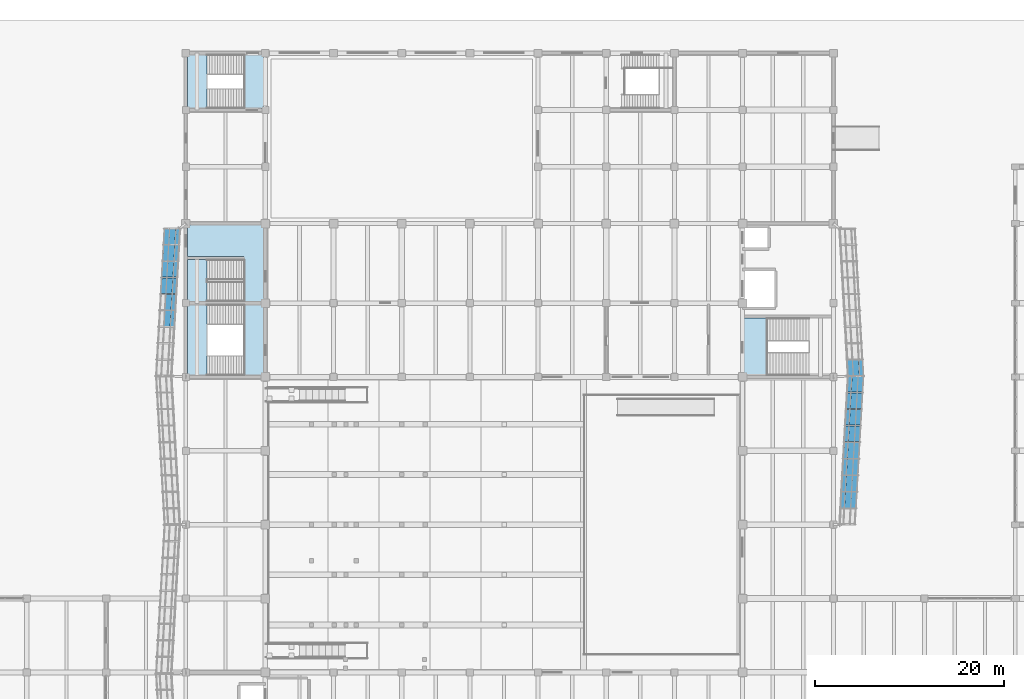
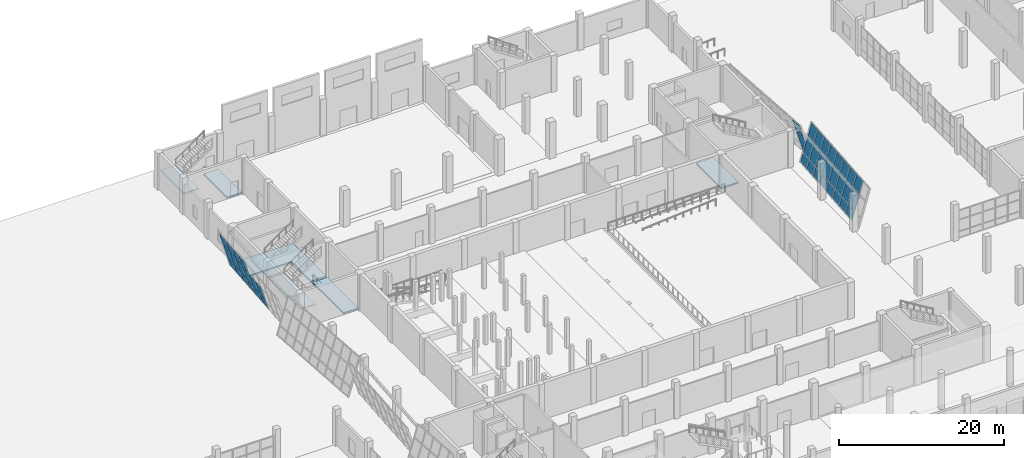
# One storey, part 51 of 78: 43 plates, 7 slabs, 7 elements without a shape of their own.
"""IFC4 building model written with IfcOpenShell, lengths in metres."""

from ifc_helpers import new_model, si_unit, direction, frame, origin, place, context, subcontext, project, spatial, polyline, outline, extrude, material, layer, layer_set, type_object, element, aggregate, save


model = new_model("IFC4")

# Units and contexts
model_context = context("Model", 3, precision=1e-05, world=origin(), true_north=direction((0.0, 1.0)))
body_context = subcontext(model_context, "Body", "Model", "MODEL_VIEW")
ifc_project = project(units=[si_unit("LENGTHUNIT", "METRE"), si_unit("AREAUNIT", "SQUARE_METRE"), si_unit("VOLUMEUNIT", "CUBIC_METRE"), si_unit("PLANEANGLEUNIT", "RADIAN"), si_unit("MASSUNIT", "GRAM", prefix="KILO")], contexts=[model_context])

# Site, building, storey
site_placement = place(None, origin())
site = spatial("IfcSite", under=ifc_project, at=site_placement, CompositionType="ELEMENT")
building_placement = place(site_placement, origin())
building = spatial("IfcBuilding", under=site, at=building_placement, Name="Pellamere Symphony Hall", CompositionType="ELEMENT")
storey_placement = place(building_placement, origin())
storey = spatial("IfcBuildingStorey", under=building, at=storey_placement, Name="L00", CompositionType="ELEMENT", Elevation=0.0)

# Curtain wall, plates
ifc_material_1 = material(Name="Thermally Broken Anodised Aluminium 6063-T6 Curtain Wall", Category="aluminium")
curtain_wall_type = type_object("IfcCurtainWallType", Name="Curtain Wall CW-01 (Tilted Faceted Crystal Low-Iron Curtain Wall)", PredefinedType="NOTDEFINED", material=ifc_material_1)
curtain_wall_1_placement = place(storey_placement, origin())
curtain_wall_1 = element("IfcCurtainWall", 1, at=curtain_wall_1_placement, inside=storey, type_object=curtain_wall_type, Name="Crystal Faceted Curtain Wall CW-CR08 (L00)", PredefinedType="NOTDEFINED")
ifc_material_2 = material(Name="Pre-Weathered Quartz-Zinc Faceted Cladding Cassette", Category="aluminium")
ifc_layer_1 = layer(ifc_material_2, 0.0400390625, Name="Pre-Weathered Quartz-Zinc Faceted Cladding Cassette")
ifc_layer_set_1 = layer_set([ifc_layer_1], Name="Pre-Weathered Quartz-Zinc Faceted Cladding Cassette")
plate_type_1 = type_object("IfcPlateType", Name="Facade Panel CL-01 40mm", PredefinedType="CURTAIN_PANEL", material=ifc_layer_set_1)
plate_1_placement = place(storey_placement, frame((119.573486328125, 63.581787109375, 0.072021484375), z_axis=(-0.957395031461, 0.054876276112, 0.283519572613), x_axis=(0.057224396245, 0.998361341637, 0.0)))
plate_1 = element("IfcPlate", 2, at=plate_1_placement, type_object=plate_type_1, Name="CW1-012 crystal glass panel 2.1", PredefinedType="CURTAIN_PANEL", context=body_context, shape_type="SweptSolid", body=[
    extrude(outline(polyline([(0.0, 0.0), (1.6724182565382377, 3.469446951953614e-18), (1.692550179143087, -1.238821526478859), (0.02013192260484909, -1.238821526478859), (0.0, 0.0)])), origin(), (0.0, 0.0, -1.0), 0.0400390625),
])
plate_2_placement = place(storey_placement, frame((119.94677734375, 63.581787109375, 1.33203125), z_axis=(-0.957387734204, 0.054875857846, 0.283544293932), x_axis=(0.057224396245, 0.998361341637, 0.0)))
plate_2 = element("IfcPlate", 3, at=plate_2_placement, type_object=plate_type_1, Name="CW1-012 crystal glass panel 2.2", PredefinedType="CURTAIN_PANEL", context=body_context, shape_type="SweptSolid", body=[
    extrude(outline(polyline([(0.0, 0.0), (1.6724182565382377, 0.0), (1.7096364673774591, -2.2900297091441395), (0.03721821083922136, -2.2900297091441395), (0.0, 0.0)])), origin(), (0.0, 0.0, -1.0), 0.0400390625),
])
plate_3_placement = place(storey_placement, frame((120.61865234375, 63.581787109375, 3.599853515625), z_axis=(-0.957407878661, 0.054877012492, 0.283476043745), x_axis=(0.057224396245, 0.998361341637, 0.0)))
plate_3 = element("IfcPlate", 4, at=plate_3_placement, type_object=plate_type_1, Name="CW1-012 crystal glass panel 2.3", PredefinedType="CURTAIN_PANEL", context=body_context, shape_type="SweptSolid", body=[
    extrude(outline(polyline([(0.0, 0.0), (1.6724182565382377, 0.0), (1.701701053054382, -1.8021989126157862), (0.029282796516144134, -1.8021989126157862), (0.0, 0.0)])), origin(), (0.0, 0.0, -1.0), 0.0400390625),
])
plate_4_placement = place(storey_placement, frame((119.67333984375, 65.326416015625, 0.072021484375), z_axis=(-0.957341189414, 0.054881214719, 0.283700368914), x_axis=(0.057232737422, 0.998360863499, 0.0)))
plate_4 = element("IfcPlate", 5, at=plate_4_placement, type_object=plate_type_1, Name="CW1-012 crystal glass panel 3.1", PredefinedType="CURTAIN_PANEL", context=body_context, shape_type="SweptSolid", body=[
    extrude(outline(polyline([(0.0, 0.0), (1.6721745160346768, 0.0), (1.6923233459571738, -1.2388906059934504), (0.020148829922496985, -1.2388906059934504), (0.0, 0.0)])), origin(), (0.0, 0.0, -1.0), 0.0400390625),
])
plate_5_placement = place(storey_placement, frame((120.046630859375, 65.326416015625, 1.33203125), z_axis=(-0.957358415289, 0.054882202222, 0.283642042996), x_axis=(0.057232737422, 0.998360863499, 0.0)))
plate_5 = element("IfcPlate", 6, at=plate_5_placement, type_object=plate_type_1, Name="CW1-012 crystal glass panel 3.2", PredefinedType="CURTAIN_PANEL", context=body_context, shape_type="SweptSolid", body=[
    extrude(outline(polyline([(0.0, 0.0), (1.6721745160346768, 0.0), (1.7094121247333276, -2.2900987440787963), (0.03723760869865081, -2.2900987440787963), (0.0, 0.0)])), origin(), (0.0, 0.0, -1.0), 0.0400390625),
])
plate_6_placement = place(storey_placement, frame((120.718505859375, 65.326416015625, 3.599853515625), z_axis=(-0.957370744271, 0.054882909002, 0.283600289693), x_axis=(0.057232737422, 0.998360863499, 0.0)))
plate_6 = element("IfcPlate", 7, at=plate_6_placement, type_object=plate_type_1, Name="CW1-012 crystal glass panel 3.3", PredefinedType="CURTAIN_PANEL", context=body_context, shape_type="SweptSolid", body=[
    extrude(outline(polyline([(0.0, 0.0), (1.6721745160346768, -3.469446951953614e-18), (1.7014755537236341, -1.8022679529612744), (0.029301037688957126, -1.8022679529612744), (0.0, 0.0)])), origin(), (0.0, 0.0, -1.0), 0.0400390625),
])
plate_7_placement = place(storey_placement, frame((119.7734375, 67.07080078125, 0.072021484375), z_axis=(-0.957341189414, 0.054881214719, 0.283700368914), x_axis=(0.057232737422, 0.998360863499, 0.0)))
plate_7 = element("IfcPlate", 8, at=plate_7_placement, type_object=plate_type_1, Name="CW1-012 crystal glass panel 4.1", PredefinedType="CURTAIN_PANEL", context=body_context, shape_type="SweptSolid", body=[
    extrude(outline(polyline([(0.0, 0.0), (1.6721745160346768, 0.0), (1.6923233459571738, -1.2388906059934504), (0.020148829922496985, -1.2388906059934504), (0.0, 0.0)])), origin(), (0.0, 0.0, -1.0), 0.0400390625),
])
plate_8_placement = place(storey_placement, frame((120.146728515625, 67.07080078125, 1.33203125), z_axis=(-0.957387312553, 0.054883858807, 0.283544169054), x_axis=(0.057232737422, 0.998360863499, 0.0)))
plate_8 = element("IfcPlate", 9, at=plate_8_placement, type_object=plate_type_1, Name="CW1-012 crystal glass panel 4.2", PredefinedType="CURTAIN_PANEL", context=body_context, shape_type="SweptSolid", body=[
    extrude(outline(polyline([(0.0, 0.0), (1.6721745160346768, -3.469446951953614e-18), (1.7093981518970431, -2.2900296209687006), (0.037223635862366135, -2.2900296209687006), (0.0, 0.0)])), origin(), (0.0, 0.0, -1.0), 0.0400390625),
])
plate_9_placement = place(storey_placement, frame((120.818603515625, 67.07080078125, 3.599853515625), z_axis=(-0.957370744271, 0.054882909002, 0.283600289693), x_axis=(0.057232737422, 0.998360863499, 0.0)))
plate_9 = element("IfcPlate", 10, at=plate_9_placement, type_object=plate_type_1, Name="CW1-012 crystal glass panel 4.3", PredefinedType="CURTAIN_PANEL", context=body_context, shape_type="SweptSolid", body=[
    extrude(outline(polyline([(0.0, 0.0), (1.6721745160346768, -3.469446951953614e-18), (1.7014755537236341, -1.8022679529612744), (0.029301037688957126, -1.8022679529612744), (0.0, 0.0)])), origin(), (0.0, 0.0, -1.0), 0.0400390625),
])
plate_10_placement = place(storey_placement, frame((119.87353515625, 68.815185546875, 0.072021484375), z_axis=(-0.957395031461, 0.054876276112, 0.283519572613), x_axis=(0.057224396245, 0.998361341637, 0.0)))
plate_10 = element("IfcPlate", 11, at=plate_10_placement, type_object=plate_type_1, Name="CW1-012 crystal glass panel 5.1", PredefinedType="CURTAIN_PANEL", context=body_context, shape_type="SweptSolid", body=[
    extrude(outline(polyline([(0.0, 0.0), (1.6724182565382377, 3.469446951953614e-18), (1.692550179143087, -1.238821526478859), (0.02013192260484909, -1.238821526478859), (0.0, 0.0)])), origin(), (0.0, 0.0, -1.0), 0.0400390625),
])
plate_11_placement = place(storey_placement, frame((120.24658203125, 68.815185546875, 1.33203125), z_axis=(-0.957369607078, 0.054944812221, 0.283592142086), x_axis=(0.05730299795, 0.998356833018, 1.9816883e-05)))
plate_11 = element("IfcPlate", 12, at=plate_11_placement, type_object=plate_type_1, Name="CW1-012 crystal glass panel 5.2", PredefinedType="CURTAIN_PANEL", context=body_context, shape_type="SweptSolid", body=[
    extrude(outline(polyline([(0.0, 0.0), (1.672432241016296, 1.0408340855860843e-17), (1.709745092433655, -2.2900281660805426), (0.03732684140709298, -2.2900972884106223), (0.0, 0.0)])), origin(), (0.0, 0.0, -1.0), 0.0400390625),
])
plate_12_placement = place(storey_placement, frame((120.91845703125, 68.815185546875, 3.599853515625), z_axis=(-0.9573711659, 0.054874908178, 0.283600414591), x_axis=(0.057224396245, 0.998361341637, 0.0)))
plate_12 = element("IfcPlate", 13, at=plate_12_placement, type_object=plate_type_1, Name="CW1-012 crystal glass panel 5.3", PredefinedType="CURTAIN_PANEL", context=body_context, shape_type="SweptSolid", body=[
    extrude(outline(polyline([(0.0, 0.0), (1.6724182565382377, 0.0), (1.7017150238542464, -1.8022680223833807), (0.029296767316008707, -1.8022680223833807), (0.0, 0.0)])), origin(), (0.0, 0.0, -1.0), 0.0400390625),
])
plate_13_placement = place(storey_placement, frame((119.973388671875, 70.5595703125, 0.072021484375), z_axis=(-0.957341611004, 0.054873214141, 0.283700493849), x_axis=(0.057224396245, 0.998361341637, 0.0)))
plate_13 = element("IfcPlate", 14, at=plate_13_placement, type_object=plate_type_1, Name="CW1-012 crystal glass panel 6.1", PredefinedType="CURTAIN_PANEL", context=body_context, shape_type="SweptSolid", body=[
    extrude(outline(polyline([(0.0, 0.0), (1.6724182565382377, 0.0), (1.6925641499429516, -1.2388906537483406), (0.020145893404713663, -1.2388906537483406), (0.0, 0.0)])), origin(), (0.0, 0.0, -1.0), 0.0400390625),
])
plate_14_placement = place(storey_placement, frame((120.3466796875, 70.5595703125, 1.33203125), z_axis=(-0.957358836902, 0.054874201501, 0.283642167909), x_axis=(0.057224396245, 0.998361341637, 0.0)))
plate_14 = element("IfcPlate", 15, at=plate_14_placement, type_object=plate_type_1, Name="CW1-012 crystal glass panel 6.2", PredefinedType="CURTAIN_PANEL", context=body_context, shape_type="SweptSolid", body=[
    extrude(outline(polyline([(0.0, 0.0), (1.6724182565382377, 0.0), (1.7096504381773239, -2.2900988323177818), (0.03723218163908593, -2.2900988323177818), (0.0, 0.0)])), origin(), (0.0, 0.0, -1.0), 0.0400390625),
])
plate_15_placement = place(storey_placement, frame((121.0185546875, 70.5595703125, 3.599853515625), z_axis=(-0.9573711659, 0.054874908178, 0.283600414591), x_axis=(0.057224396245, 0.998361341637, 0.0)))
plate_15 = element("IfcPlate", 16, at=plate_15_placement, type_object=plate_type_1, Name="CW1-012 crystal glass panel 6.3", PredefinedType="CURTAIN_PANEL", context=body_context, shape_type="SweptSolid", body=[
    extrude(outline(polyline([(0.0, 0.0), (1.6724182565382377, 0.0), (1.7017150238542464, -1.8022680223833807), (0.029296767316008707, -1.8022680223833807), (0.0, 0.0)])), origin(), (0.0, 0.0, -1.0), 0.0400390625),
])
plate_16_placement = place(storey_placement, frame((120.073486328125, 72.30419921875, 0.072021484375), z_axis=(-0.9573946098, 0.054884277134, 0.283519447744), x_axis=(0.057232737422, 0.998360863499, 0.0)))
plate_16 = element("IfcPlate", 17, at=plate_16_placement, type_object=plate_type_1, Name="CW1-012 crystal glass panel 7.1", PredefinedType="CURTAIN_PANEL", context=body_context, shape_type="SweptSolid", body=[
    extrude(outline(polyline([(0.0, 0.0), (1.6721745160346768, 0.0), (1.6923093731208891, -1.2388214787875187), (0.020134857086212314, -1.2388214787875187), (0.0, 0.0)])), origin(), (0.0, 0.0, -1.0), 0.0400390625),
])
plate_17_placement = place(storey_placement, frame((120.44677734375, 72.30419921875, 1.33203125), z_axis=(-0.957387312553, 0.054883858807, 0.283544169054), x_axis=(0.057232737422, 0.998360863499, 0.0)))
plate_17 = element("IfcPlate", 18, at=plate_17_placement, type_object=plate_type_1, Name="CW1-012 crystal glass panel 7.2", PredefinedType="CURTAIN_PANEL", context=body_context, shape_type="SweptSolid", body=[
    extrude(outline(polyline([(0.0, 0.0), (1.6721745160346768, -3.469446951953614e-18), (1.7093981518970431, -2.2900296209687006), (0.037223635862366135, -2.2900296209687006), (0.0, 0.0)])), origin(), (0.0, 0.0, -1.0), 0.0400390625),
])
plate_18_placement = place(storey_placement, frame((121.11865234375, 72.30419921875, 3.599853515625), z_axis=(-0.957407456984, 0.054885013621, 0.283475918892), x_axis=(0.057232737422, 0.998360863499, 0.0)))
plate_18 = element("IfcPlate", 19, at=plate_18_placement, type_object=plate_type_1, Name="CW1-012 crystal glass panel 7.3", PredefinedType="CURTAIN_PANEL", context=body_context, shape_type="SweptSolid", body=[
    extrude(outline(polyline([(0.0, 0.0), (1.6721745160346768, 0.0), (1.7014615808873494, -1.8021988432572154), (0.029287064852672455, -1.8021988432572154), (0.0, 0.0)])), origin(), (0.0, 0.0, -1.0), 0.0400390625),
])
plate_19_placement = place(storey_placement, frame((120.17333984375, 74.048583984375, 0.072021484375), z_axis=(-0.957341189414, 0.054881214719, 0.283700368914), x_axis=(0.057232737422, 0.998360863499, 0.0)))
plate_19 = element("IfcPlate", 20, at=plate_19_placement, type_object=plate_type_1, Name="CW1-012 crystal glass panel 8.1", PredefinedType="CURTAIN_PANEL", context=body_context, shape_type="SweptSolid", body=[
    extrude(outline(polyline([(0.0, 0.0), (1.6721745160346768, 0.0), (1.6923233459571738, -1.2388906059934504), (0.020148829922496985, -1.2388906059934504), (0.0, 0.0)])), origin(), (0.0, 0.0, -1.0), 0.0400390625),
])
plate_20_placement = place(storey_placement, frame((120.546630859375, 74.048583984375, 1.33203125), z_axis=(-0.957358415289, 0.054882202222, 0.283642042996), x_axis=(0.057232737422, 0.998360863499, 0.0)))
plate_20 = element("IfcPlate", 21, at=plate_20_placement, type_object=plate_type_1, Name="CW1-012 crystal glass panel 8.2", PredefinedType="CURTAIN_PANEL", context=body_context, shape_type="SweptSolid", body=[
    extrude(outline(polyline([(0.0, 0.0), (1.6721745160346768, 0.0), (1.7094121247333276, -2.2900987440787963), (0.03723760869865081, -2.2900987440787963), (0.0, 0.0)])), origin(), (0.0, 0.0, -1.0), 0.0400390625),
])
plate_21_placement = place(storey_placement, frame((121.218505859375, 74.048583984375, 3.599853515625), z_axis=(-0.957370744271, 0.054882909002, 0.283600289693), x_axis=(0.057232737422, 0.998360863499, 0.0)))
plate_21 = element("IfcPlate", 22, at=plate_21_placement, type_object=plate_type_1, Name="CW1-012 crystal glass panel 8.3", PredefinedType="CURTAIN_PANEL", context=body_context, shape_type="SweptSolid", body=[
    extrude(outline(polyline([(0.0, 0.0), (1.6721745160346768, -3.469446951953614e-18), (1.7014755537236341, -1.8022679529612744), (0.029301037688957126, -1.8022679529612744), (0.0, 0.0)])), origin(), (0.0, 0.0, -1.0), 0.0400390625),
])
plate_22_placement = place(storey_placement, frame((120.2734375, 75.79296875, 0.072021484375), z_axis=(-0.957342912036, 0.054848516875, 0.283700879399), x_axis=(0.057198647566, 0.998362817175, 0.0)))
plate_22 = element("IfcPlate", 23, at=plate_22_placement, type_object=plate_type_1, Name="CW1-012 crystal glass panel 9.1", PredefinedType="CURTAIN_PANEL", context=body_context, shape_type="SweptSolid", body=[
    extrude(outline(polyline([(0.0, 0.0), (1.6347564733470132, 0.0), (1.654893301909021, -1.2388908011207158), (0.02013682856200787, -1.2388908011207158), (0.0, 0.0)])), origin(), (0.0, 0.0, -1.0), 0.0400390625),
])
plate_23_placement = place(storey_placement, frame((120.646728515625, 75.79296875, 1.33203125), z_axis=(-0.957370825104, 0.054921721979, 0.283592502889), x_axis=(0.057267088873, 0.998358893445, -2.0273649e-05)))
plate_23 = element("IfcPlate", 24, at=plate_23_placement, type_object=plate_type_1, Name="CW1-012 crystal glass panel 9.2", PredefinedType="CURTAIN_PANEL", context=body_context, shape_type="SweptSolid", body=[
    extrude(outline(polyline([(0.0, 0.0), (1.6347564691696963, 0.0), (1.671971906272514, -2.2900991015055063), (0.03720145587994829, -2.2900299784071576), (0.0, 0.0)])), origin(), (0.0, 0.0, -1.0), 0.0400390625),
])
plate_24_placement = place(storey_placement, frame((121.318603515625, 75.79296875, 3.599853515625), z_axis=(-0.957372467052, 0.054850210154, 0.283600800029), x_axis=(0.057198647566, 0.998362817175, 0.0)))
plate_24 = element("IfcPlate", 25, at=plate_24_placement, type_object=plate_type_1, Name="CW1-012 crystal glass panel 9.3", PredefinedType="CURTAIN_PANEL", context=body_context, shape_type="SweptSolid", body=[
    extrude(outline(polyline([(0.0, 0.0), (1.6347564733470132, 3.469446951953614e-18), (1.6640400582946764, -1.8022682366211433), (0.029283584947663317, -1.8022682366211433), (0.0, 0.0)])), origin(), (0.0, 0.0, -1.0), 0.0400390625),
])
aggregate(curtain_wall_1, [plate_1, plate_2, plate_3, plate_4, plate_5, plate_6, plate_7, plate_8, plate_9, plate_10, plate_11, plate_12, plate_13, plate_14, plate_15, plate_16, plate_17, plate_18, plate_19, plate_20, plate_21, plate_22, plate_23, plate_24])

curtain_wall_2_placement = place(storey_placement, origin())
curtain_wall_2 = element("IfcCurtainWall", 26, at=curtain_wall_2_placement, inside=storey, type_object=curtain_wall_type, Name="Crystal Faceted Curtain Wall CW-CR09 (L00)", PredefinedType="NOTDEFINED")
ifc_material_3 = material(Name="Triple Laminated Acoustic Crystal Glazing 42mm", Category="glass")
ifc_layer_2 = layer(ifc_material_3, 0.0419921875, Name="Triple Laminated Acoustic Crystal Glazing 42mm")
ifc_layer_set_2 = layer_set([ifc_layer_2], Name="Triple Laminated Acoustic Crystal Glazing 42mm")
plate_type_2 = type_object("IfcPlateType", Name="Facade Panel GL-02 42mm", PredefinedType="CURTAIN_PANEL", material=ifc_layer_set_2)
plate_25_placement = place(storey_placement, frame((121.924072265625, 77.574951171875, 0.072021484375), z_axis=(0.957322888498, 0.055227393628, 0.283694945585), x_axis=(-0.057593652861, 0.998340107954, 0.0)))
plate_25 = element("IfcPlate", 27, at=plate_25_placement, type_object=plate_type_2, Name="CW1-017 crystal glass panel 1.1", PredefinedType="CURTAIN_PANEL", context=body_context, shape_type="SweptSolid", body=[
    extrude(outline(polyline([(0.0, 0.0), (1.6235445180063734, -3.469446951953614e-18), (1.6438204084912516, 1.2388885330130026), (0.020275890484878076, 1.2388885330130026), (0.0, 0.0)])), origin(), (0.0, 0.0, -1.0), 0.0419921875),
])
plate_26_placement = place(storey_placement, frame((121.55078125, 77.574951171875, 1.33203125), z_axis=(0.957340113385, 0.055228387321, 0.283636620586), x_axis=(-0.057593652861, 0.998340107954, 0.0)))
plate_26 = element("IfcPlate", 28, at=plate_26_placement, type_object=plate_type_2, Name="CW1-017 crystal glass panel 1.2", PredefinedType="CURTAIN_PANEL", context=body_context, shape_type="SweptSolid", body=[
    extrude(outline(polyline([(0.0, 0.0), (1.6235445180063734, 0.0), (1.6610169508373027, 2.2900949137340585), (0.03747243283092932, 2.2900949137340585), (0.0, 0.0)])), origin(), (0.0, 0.0, -1.0), 0.0419921875),
])
plate_27_placement = place(storey_placement, frame((120.87890625, 77.574951171875, 3.599853515625), z_axis=(0.95735244166, 0.055229098532, 0.283594867942), x_axis=(-0.057593652861, 0.998340107954, 0.0)))
plate_27 = element("IfcPlate", 29, at=plate_27_placement, type_object=plate_type_2, Name="CW1-017 crystal glass panel 1.3", PredefinedType="CURTAIN_PANEL", context=body_context, shape_type="SweptSolid", body=[
    extrude(outline(polyline([(0.0, 0.0), (1.6235445180063734, -3.469446951953614e-18), (1.653030331006921, 1.8022649394338692), (0.029485813000547385, 1.8022649394338692), (0.0, 0.0)])), origin(), (0.0, 0.0, -1.0), 0.0419921875),
])
aggregate(curtain_wall_2, [plate_25, plate_26, plate_27])

curtain_wall_3_placement = place(storey_placement, origin())
curtain_wall_3 = element("IfcCurtainWall", 30, at=curtain_wall_3_placement, inside=storey, type_object=curtain_wall_type, Name="Crystal Faceted Curtain Wall CW-CR15 (L00)", PredefinedType="NOTDEFINED")
plate_28_placement = place(storey_placement, frame((49.724365234375, 93.025146484375, 0.072021484375), z_axis=(0.957323328209, -0.055219101612, 0.283695075889), x_axis=(-0.057585007883, -0.99834060664, 0.0)))
plate_28 = element("IfcPlate", 31, at=plate_28_placement, type_object=plate_type_2, Name="CW1-037 crystal glass panel 1.1", PredefinedType="CURTAIN_PANEL", context=body_context, shape_type="SweptSolid", body=[
    extrude(outline(polyline([(0.0, 0.0), (1.6237882534451713, 0.0), (1.644061100458677, -1.2388885828193075), (0.020272847013505586, -1.2388885828193075), (0.0, 0.0)])), origin(), (0.0, 0.0, -1.0), 0.0419921875),
])
plate_29_placement = place(storey_placement, frame((49.35107421875, 93.025146484375, 1.33203125), z_axis=(0.957369448766, -0.055221761879, 0.283538878434), x_axis=(-0.057585007883, -0.99834060664, 0.0)))
plate_29 = element("IfcPlate", 32, at=plate_29_placement, type_object=plate_type_2, Name="CW1-037 crystal glass panel 1.2", PredefinedType="CURTAIN_PANEL", context=body_context, shape_type="SweptSolid", body=[
    extrude(outline(polyline([(0.0, 0.0), (1.6237882534451713, 3.469446951953614e-18), (1.6612410027128406, -2.2900258853456568), (0.03745274926766912, -2.2900258853456568), (0.0, 0.0)])), origin(), (0.0, 0.0, -1.0), 0.0419921875),
])
plate_30_placement = place(storey_placement, frame((48.67919921875, 93.025146484375, 3.599853515625), z_axis=(0.957389592069, -0.055222923759, 0.283470629323), x_axis=(-0.057585007883, -0.99834060664, 0.0)))
plate_30 = element("IfcPlate", 33, at=plate_30_placement, type_object=plate_type_2, Name="CW1-037 crystal glass panel 1.3", PredefinedType="CURTAIN_PANEL", context=body_context, shape_type="SweptSolid", body=[
    extrude(outline(polyline([(0.0, 0.0), (1.6237882534451713, 6.938893903907228e-18), (1.6532555816978118, -1.8021959048258267), (0.029467328252640573, -1.8021959048258267), (0.0, 0.0)])), origin(), (0.0, 0.0, -1.0), 0.0419921875),
])
plate_31_placement = place(storey_placement, frame((49.62646484375, 91.329345703125, 0.072021484375), z_axis=(0.957375872574, -0.055238643222, 0.283513898968), x_axis=(-0.057602168051, -0.998339616682, 0.0)))
plate_31 = element("IfcPlate", 34, at=plate_31_placement, type_object=plate_type_2, Name="CW1-037 crystal glass panel 2.1", PredefinedType="CURTAIN_PANEL", context=body_context, shape_type="SweptSolid", body=[
    extrude(outline(polyline([(0.0, 0.0), (1.6614500501978287, 0.0), (1.6817148754326021, -1.2388193595651389), (0.020264825234773375, -1.2388193595651389), (0.0, 0.0)])), origin(), (0.0, 0.0, -1.0), 0.0419921875),
])
plate_32_placement = place(storey_placement, frame((49.253173828125, 91.329345703125, 1.33203125), z_axis=(0.957357852474, -0.055167147372, 0.283588660135), x_axis=(-0.057523049892, -0.998344178294, -1.9947552e-05)))
plate_32 = element("IfcPlate", 35, at=plate_32_placement, type_object=plate_type_2, Name="CW1-037 crystal glass panel 2.2", PredefinedType="CURTAIN_PANEL", context=body_context, shape_type="SweptSolid", body=[
    extrude(outline(polyline([(0.0, 0.0), (1.6614360009365654, 6.938893903907228e-18), (1.698818691300828, -2.290096377434055), (0.037368646650910164, -2.290027256294327), (0.0, 0.0)])), origin(), (0.0, 0.0, -1.0), 0.0419921875),
])
plate_33_placement = place(storey_placement, frame((48.58154296875, 91.329345703125, 3.599853515625), z_axis=(0.957352008446, -0.05523726631, 0.283594739612), x_axis=(-0.057602168051, -0.998339616682, 0.0)))
plate_33 = element("IfcPlate", 36, at=plate_33_placement, type_object=plate_type_2, Name="CW1-037 crystal glass panel 2.3", PredefinedType="CURTAIN_PANEL", context=body_context, shape_type="SweptSolid", body=[
    extrude(outline(polyline([(0.0, 0.0), (1.6614500501978287, 0.0), (1.6909402226595358, -1.8022648681059756), (0.029490172461706987, -1.8022648681059756), (0.0, 0.0)])), origin(), (0.0, 0.0, -1.0), 0.0419921875),
])
plate_34_placement = place(storey_placement, frame((49.526611328125, 89.595947265625, 0.072021484375), z_axis=(0.957322025327, -0.055243667588, 0.283694689791), x_axis=(-0.057610619545, -0.998339129012, 0.0)))
plate_34 = element("IfcPlate", 37, at=plate_34_placement, type_object=plate_type_2, Name="CW1-037 crystal glass panel 3.1", PredefinedType="CURTAIN_PANEL", context=body_context, shape_type="SweptSolid", body=[
    extrude(outline(polyline([(0.0, 0.0), (1.6612063149993754, 0.0), (1.681488178618663, -1.238888435241121), (0.02028186361928745, -1.238888435241121), (0.0, 0.0)])), origin(), (0.0, 0.0, -1.0), 0.0419921875),
])
plate_35_placement = place(storey_placement, frame((49.1533203125, 89.595947265625, 1.33203125), z_axis=(0.957339250167, -0.055244661573, 0.283636364836), x_axis=(-0.057610619545, -0.998339129012, 0.0)))
plate_35 = element("IfcPlate", 38, at=plate_35_placement, type_object=plate_type_2, Name="CW1-037 crystal glass panel 3.2", PredefinedType="CURTAIN_PANEL", context=body_context, shape_type="SweptSolid", body=[
    extrude(outline(polyline([(0.0, 0.0), (1.6612063149993754, -3.469446951953614e-18), (1.6986897869448687, -2.2900947330762946), (0.037483471945493105, -2.2900947330762946), (0.0, 0.0)])), origin(), (0.0, 0.0, -1.0), 0.0419921875),
])
plate_36_placement = place(storey_placement, frame((48.4814453125, 89.595947265625, 3.599853515625), z_axis=(0.957351578409, -0.055245372992, 0.283594612222), x_axis=(-0.057610619545, -0.998339129012, 0.0)))
plate_36 = element("IfcPlate", 39, at=plate_36_placement, type_object=plate_type_2, Name="CW1-037 crystal glass panel 3.3", PredefinedType="CURTAIN_PANEL", context=body_context, shape_type="SweptSolid", body=[
    extrude(outline(polyline([(0.0, 0.0), (1.6612063149993754, 3.469446951953614e-18), (1.6907008143125835, -1.8022647973011996), (0.029494499313207894, -1.8022647973011996), (0.0, 0.0)])), origin(), (0.0, 0.0, -1.0), 0.0419921875),
])
plate_37_placement = place(storey_placement, frame((49.426513671875, 87.862548828125, 0.072021484375), z_axis=(0.957375442505, -0.055246750105, 0.283513771609), x_axis=(-0.057610619545, -0.998339129012, 0.0)))
plate_37 = element("IfcPlate", 40, at=plate_37_placement, type_object=plate_type_2, Name="CW1-037 crystal glass panel 4.1", PredefinedType="CURTAIN_PANEL", context=body_context, shape_type="SweptSolid", body=[
    extrude(outline(polyline([(0.0, 0.0), (1.6612063149993754, 0.0), (1.6814741135260005, -1.238819310923938), (0.020267798526624976, -1.238819310923938), (0.0, 0.0)])), origin(), (0.0, 0.0, -1.0), 0.0419921875),
])
plate_38_placement = place(storey_placement, frame((49.05322265625, 87.862548828125, 1.33203125), z_axis=(0.957368145696, -0.055246329032, 0.283538492511), x_axis=(-0.057610619545, -0.998339129012, 0.0)))
plate_38 = element("IfcPlate", 41, at=plate_38_placement, type_object=plate_type_2, Name="CW1-037 crystal glass panel 4.2", PredefinedType="CURTAIN_PANEL", context=body_context, shape_type="SweptSolid", body=[
    extrude(outline(polyline([(0.0, 0.0), (1.6612063149993754, 3.469446951953614e-18), (1.6986757218522062, -2.2900256128547913), (0.03746940685283063, -2.2900256128547913), (0.0, 0.0)])), origin(), (0.0, 0.0, -1.0), 0.0419921875),
])
plate_39_placement = place(storey_placement, frame((48.38134765625, 87.862548828125, 3.599853515625), z_axis=(0.957373660078, -0.055176179585, 0.283533532752), x_axis=(-0.057531492145, -0.998343691828, -1.994693e-05)))
plate_39 = element("IfcPlate", 42, at=plate_39_placement, type_object=plate_type_2, Name="CW1-037 crystal glass panel 4.3", PredefinedType="CURTAIN_PANEL", context=body_context, shape_type="SweptSolid", body=[
    extrude(outline(polyline([(0.0, 0.0), (1.6611922636766259, -3.469446951953614e-18), (1.6906117789869488, -1.802266019083172), (0.02940546953587351, -1.802196911413631), (0.0, 0.0)])), origin(), (0.0, 0.0, -1.0), 0.0419921875),
])
plate_40_placement = place(storey_placement, frame((49.32666015625, 86.129150390625, 0.072021484375), z_axis=(0.957322025327, -0.055243667588, 0.283694689791), x_axis=(-0.057610619545, -0.998339129012, 0.0)))
plate_40 = element("IfcPlate", 43, at=plate_40_placement, type_object=plate_type_2, Name="CW1-037 crystal glass panel 5.1", PredefinedType="CURTAIN_PANEL", context=body_context, shape_type="SweptSolid", body=[
    extrude(outline(polyline([(0.0, 0.0), (1.6612063149993754, 0.0), (1.681488178618663, -1.238888435241121), (0.02028186361928745, -1.238888435241121), (0.0, 0.0)])), origin(), (0.0, 0.0, -1.0), 0.0419921875),
])
plate_41_placement = place(storey_placement, frame((48.953369140625, 86.129150390625, 1.33203125), z_axis=(0.957339250167, -0.055244661573, 0.283636364836), x_axis=(-0.057610619545, -0.998339129012, 0.0)))
plate_41 = element("IfcPlate", 44, at=plate_41_placement, type_object=plate_type_2, Name="CW1-037 crystal glass panel 5.2", PredefinedType="CURTAIN_PANEL", context=body_context, shape_type="SweptSolid", body=[
    extrude(outline(polyline([(0.0, 0.0), (1.6612063149993754, -3.469446951953614e-18), (1.6986897869448687, -2.2900947330762946), (0.037483471945493105, -2.2900947330762946), (0.0, 0.0)])), origin(), (0.0, 0.0, -1.0), 0.0419921875),
])
plate_42_placement = place(storey_placement, frame((49.2265625, 84.39599609375, 0.072021484375), z_axis=(0.957322025327, -0.055243667588, 0.283694689791), x_axis=(-0.057610619545, -0.998339129012, 0.0)))
plate_42 = element("IfcPlate", 45, at=plate_42_placement, type_object=plate_type_2, Name="CW1-037 crystal glass panel 6.1", PredefinedType="CURTAIN_PANEL", context=body_context, shape_type="SweptSolid", body=[
    extrude(outline(polyline([(0.0, 0.0), (1.6612063149993754, 0.0), (1.681488178618663, -1.238888435241121), (0.02028186361928745, -1.238888435241121), (0.0, 0.0)])), origin(), (0.0, 0.0, -1.0), 0.0419921875),
])
plate_43_placement = place(storey_placement, frame((48.853271484375, 84.39599609375, 1.33203125), z_axis=(0.957357423525, -0.055175243826, 0.283588533072), x_axis=(-0.057543270137, -0.998343013029, 1.9950292e-05)))
plate_43 = element("IfcPlate", 46, at=plate_43_placement, type_object=plate_type_2, Name="CW1-037 crystal glass panel 6.2", PredefinedType="CURTAIN_PANEL", context=body_context, shape_type="SweptSolid", body=[
    extrude(outline(polyline([(0.0, 0.0), (1.6612063108886852, -6.938893903907228e-18), (1.6986757260556153, -2.2900256097368223), (0.03748346381686605, -2.2900947302274974), (0.0, 0.0)])), origin(), (0.0, 0.0, -1.0), 0.0419921875),
])
aggregate(curtain_wall_3, [plate_28, plate_29, plate_30, plate_31, plate_32, plate_33, plate_34, plate_35, plate_36, plate_37, plate_38, plate_39, plate_40, plate_41, plate_42, plate_43])

# Stair, slab
ifc_material_4 = material(Name="Concrete 40 MPa", Category="concrete")
stair_type_1 = type_object("IfcStairType", Name="Stair ST-A W2400", PredefinedType="HALF_TURN_STAIR", material=ifc_material_4)
stair_1_placement = place(storey_placement, origin())
stair_1 = element("IfcStair", 47, at=stair_1_placement, inside=storey, type_object=stair_type_1, Name="Exit Stair ST04-L00 (L00 to L01)", PredefinedType="HALF_TURN_STAIR")
ifc_layer_3 = layer(ifc_material_4, 0.219970703125, Name="Concrete 40 MPa")
ifc_layer_set_3 = layer_set([ifc_layer_3], Name="Concrete 40 MPa")
slab_type = type_object("IfcSlabType", Name="Stair Landing SL-01 220mm", PredefinedType="LANDING", material=ifc_layer_set_3)
slab_1_placement = place(storey_placement, frame((0.0, 0.0, -0.219970703125)))
slab_1 = element("IfcSlab", 48, at=slab_1_placement, type_object=slab_type, Name="Stair ST04-L00 Bottom Landing (L00)", PredefinedType="LANDING", context=body_context, shape_type="SweptSolid", body=[
    extrude(outline(polyline([(109.360107421875, 77.56005859375), (111.77490234375, 77.56005859375), (111.77490234375, 83.639892578125), (109.360107421875, 83.639892578125), (109.360107421875, 77.56005859375)])), origin(), (0.0, 0.0, 1.0), 0.219970703125),
])
aggregate(stair_1, [slab_1])

# Stair, slabs
stair_type_2 = type_object("IfcStairType", Name="Stair ST-B W2050", PredefinedType="HALF_TURN_STAIR", material=ifc_material_4)
stair_2_placement = place(storey_placement, origin())
stair_2 = element("IfcStair", 49, at=stair_2_placement, inside=storey, type_object=stair_type_2, Name="Exit Stair ST07-L00 (L00 to L01)", PredefinedType="HALF_TURN_STAIR")
slab_2_placement = place(storey_placement, frame((0.0, 0.0, -0.219970703125)))
slab_2 = element("IfcSlab", 50, at=slab_2_placement, type_object=slab_type, Name="Stair ST07-L00 Bottom Landing (L00)", PredefinedType="LANDING", context=body_context, shape_type="SweptSolid", body=[
    extrude(outline(polyline([(56.574951171875, 77.56005859375), (58.639892578125, 77.56005859375), (58.639892578125, 85.0400390625), (56.574951171875, 85.0400390625), (56.574951171875, 77.56005859375)])), origin(), (0.0, 0.0, 1.0), 0.219970703125),
])
slab_3_placement = place(storey_placement, frame((0.0, 0.0, 2.47998046875)))
slab_3 = element("IfcSlab", 51, at=slab_3_placement, type_object=slab_type, Name="Stair ST07-L00 Half Landing (L00)", PredefinedType="LANDING", context=body_context, shape_type="SweptSolid", body=[
    extrude(outline(polyline([(50.56005859375, 77.56005859375), (52.625, 77.56005859375), (52.625, 85.0400390625), (50.56005859375, 85.0400390625), (50.56005859375, 77.56005859375)])), origin(), (0.0, 0.0, 1.0), 0.219970703125),
])
aggregate(stair_2, [slab_2, slab_3])

stair_3_placement = place(storey_placement, origin())
stair_3 = element("IfcStair", 52, at=stair_3_placement, inside=storey, type_object=stair_type_2, Name="Exit Stair ST10-L00 (L00 to L01)", PredefinedType="HALF_TURN_STAIR")
slab_4_placement = place(storey_placement, frame((0.0, 0.0, -0.219970703125)))
slab_4 = element("IfcSlab", 53, at=slab_4_placement, type_object=slab_type, Name="Stair ST10-L00 Bottom Landing (L00)", PredefinedType="LANDING", context=body_context, shape_type="SweptSolid", body=[
    extrude(outline(polyline([(56.574951171875, 105.760009765625), (58.639892578125, 105.760009765625), (58.639892578125, 111.43994140625), (56.574951171875, 111.43994140625), (56.574951171875, 105.760009765625)])), origin(), (0.0, 0.0, 1.0), 0.219970703125),
])
slab_5_placement = place(storey_placement, frame((0.0, 0.0, 2.47998046875)))
slab_5 = element("IfcSlab", 54, at=slab_5_placement, type_object=slab_type, Name="Stair ST10-L00 Half Landing (L00)", PredefinedType="LANDING", context=body_context, shape_type="SweptSolid", body=[
    extrude(outline(polyline([(50.56005859375, 105.760009765625), (52.625, 105.760009765625), (52.625, 111.43994140625), (50.56005859375, 111.43994140625), (50.56005859375, 105.760009765625)])), origin(), (0.0, 0.0, 1.0), 0.219970703125),
])
aggregate(stair_3, [slab_4, slab_5])

stair_4_placement = place(storey_placement, origin())
stair_4 = element("IfcStair", 55, at=stair_4_placement, inside=storey, type_object=stair_type_2, Name="Exit Stair ST13-L00 (L00 to L01)", PredefinedType="HALF_TURN_STAIR")
slab_6_placement = place(storey_placement, frame((0.0, 0.0, -0.219970703125)))
slab_6 = element("IfcSlab", 56, at=slab_6_placement, type_object=slab_type, Name="Stair ST13-L00 Bottom Landing (L00)", PredefinedType="LANDING", context=body_context, shape_type="SweptSolid", body=[
    extrude(outline(polyline([(56.52490234375, 85.360107421875), (58.639892578125, 85.360107421875), (58.639892578125, 93.43994140625), (50.56005859375, 93.43994140625), (50.56005859375, 90.10009765625), (56.52490234375, 90.10009765625), (56.52490234375, 85.360107421875)])), origin(), (0.0, 0.0, 1.0), 0.219970703125),
])
slab_7_placement = place(storey_placement, frame((0.0, 0.0, 2.47998046875)))
slab_7 = element("IfcSlab", 57, at=slab_7_placement, type_object=slab_type, Name="Stair ST13-L00 Half Landing (L00)", PredefinedType="LANDING", context=body_context, shape_type="SweptSolid", body=[
    extrude(outline(polyline([(50.56005859375, 85.360107421875), (52.625, 85.360107421875), (52.625, 89.800048828125), (50.56005859375, 89.800048828125), (50.56005859375, 85.360107421875)])), origin(), (0.0, 0.0, 1.0), 0.219970703125),
])
aggregate(stair_4, [slab_6, slab_7])

save(model, "model.ifc")
